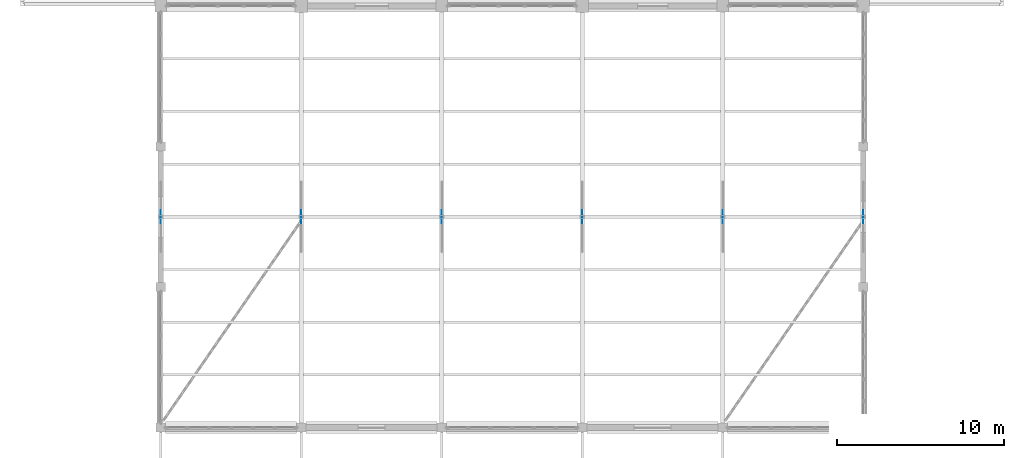
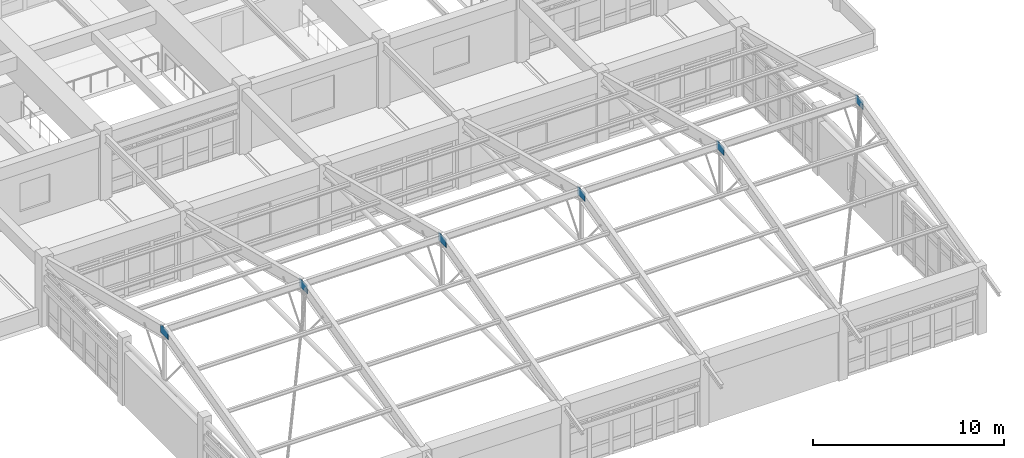
# One storey, part 78 of 99: 6 plates.
"""IFC4 building model written with IfcOpenShell, lengths in metres."""

from ifc_helpers import new_model, si_unit, direction, frame, origin, origin_2d, place, context, subcontext, project, spatial, rectangle, extrude, material, layer, layer_set, type_object, element, save


model = new_model("IFC4")

# Units and contexts
model_context = context("Model", 3, precision=1e-05, world=origin(), true_north=direction((0.0, 1.0)))
body_context = subcontext(model_context, "Body", "Model", "MODEL_VIEW")
ifc_project = project(units=[si_unit("LENGTHUNIT", "METRE"), si_unit("AREAUNIT", "SQUARE_METRE"), si_unit("VOLUMEUNIT", "CUBIC_METRE"), si_unit("PLANEANGLEUNIT", "RADIAN"), si_unit("MASSUNIT", "GRAM", prefix="KILO")], contexts=[model_context])

# Site, building, storey
site_placement = place(None, origin())
site = spatial("IfcSite", under=ifc_project, at=site_placement, CompositionType="ELEMENT")
building_placement = place(site_placement, origin())
building = spatial("IfcBuilding", under=site, at=building_placement, Name="Porcellanite Civic Hall", CompositionType="ELEMENT")
storey_placement = place(building_placement, frame((0.0, 0.0, 5.760009765625)))
storey = spatial("IfcBuildingStorey", under=building, at=storey_placement, Name="L01", CompositionType="ELEMENT", Elevation=5.760009765625)

# Plates
ifc_material = material(Name="Steel Grade 350", Category="steel")
ifc_layer = layer(ifc_material, 0.02392578125)
ifc_layer_set = layer_set([ifc_layer], Name="Steel Grade 350")
plate_type = type_object("IfcPlateType", Name="PL-GUS2", PredefinedType="SHEET", material=ifc_layer_set)
for number, where, z_axis, x_axis, name in (
    (1, (67.199951171875, 29.39990234375, 6.76123046875), (0.0, 0.0, 1.0), (1.0, 0.0, 0.0), "Public Hall apex gusset 8"),
    (2, (75.60009765625, 29.39990234375, 6.76123046875), (0.0, 0.0, 1.0), (1.0, 0.0, 0.0), "Public Hall apex gusset 9"),
    (3, (84.0, 29.39990234375, 6.76123046875), (0.0, 0.0, 1.0), (1.0, 0.0, 0.0), "Public Hall apex gusset 10"),
    (4, (92.39990234375, 29.39990234375, 6.76123046875), (0.0, 0.0, 1.0), (1.0, 0.0, 0.0), "Public Hall apex gusset 11"),
    (5, (100.800048828125, 29.39990234375, 6.76123046875), (0.0, 0.0, 1.0), (1.0, 0.0, 0.0), "Public Hall apex gusset 12"),
    (6, (109.199951171875, 29.39990234375, 6.76123046875), (0.0, 0.0, 1.0), (1.0, 0.0, 0.0), "Public Hall apex gusset 13"),
):
    element("IfcPlate", number, at=place(storey_placement, frame(where, z_axis=z_axis, x_axis=x_axis)), inside=storey, type_object=plate_type, Name=name, PredefinedType="SHEET", context=body_context, shape_type="SweptSolid", body=[
        extrude(rectangle(XDim=0.02392578125, YDim=0.800048828125, at=origin_2d()), origin(), (0.0, 0.0, 1.0), 0.550048828125),
    ])

save(model, "model.ifc")
